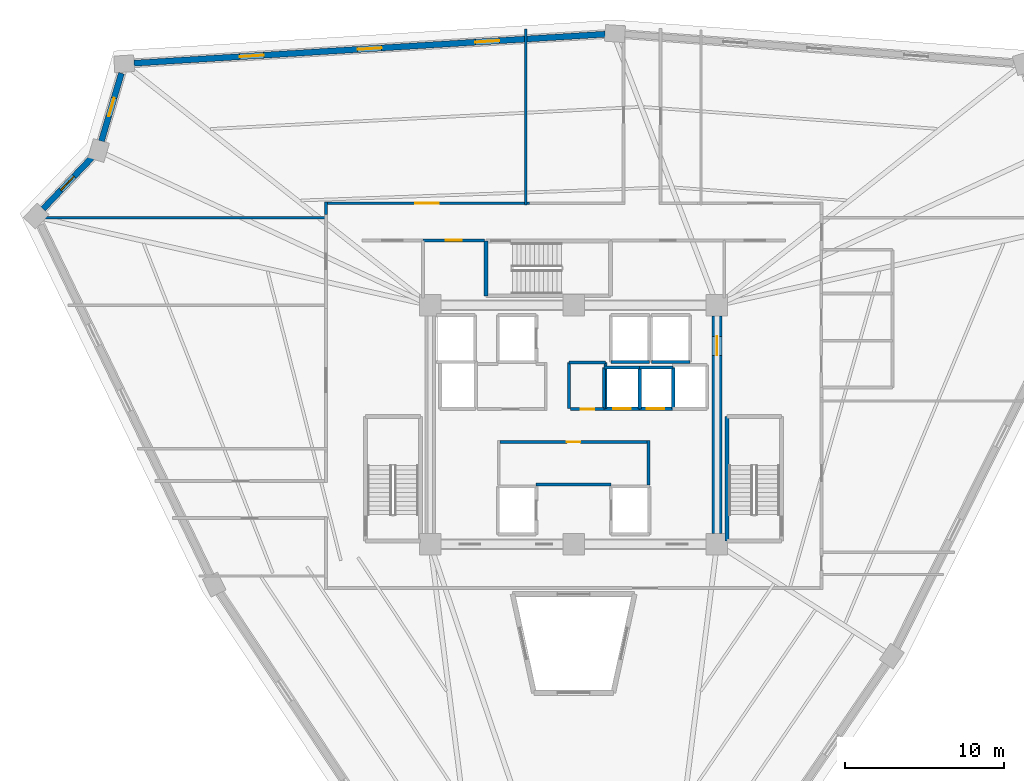
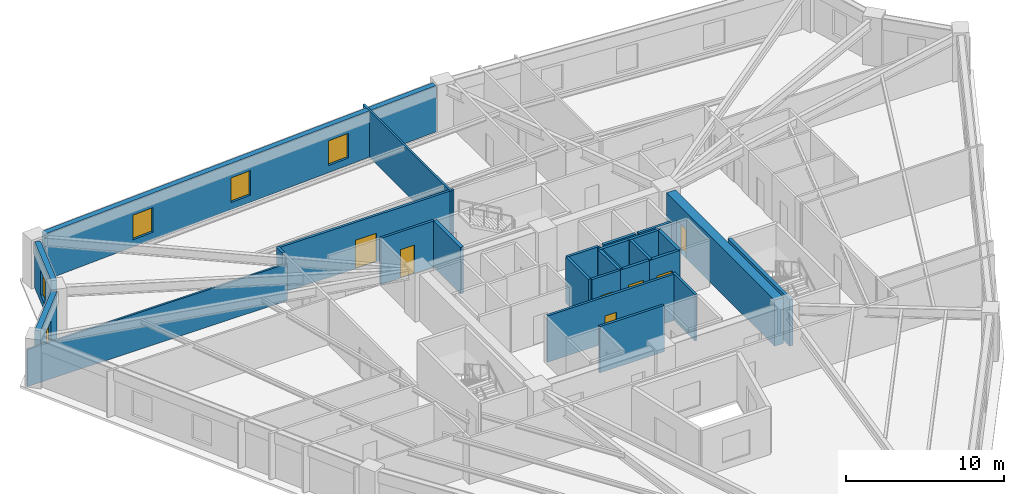
# One storey, part 5 of 8: 27 walls, 7 doors, 5 windows, 12 openings.
"""IFC4 building model written with IfcOpenShell, lengths in metres."""

from ifc_helpers import new_model, si_unit, direction, frame, frame_2d, origin, place, context, subcontext, project, spatial, rectangle, extrude, source, transform, mapped, material, layer, layer_set, type_object, element, fill, save


model = new_model("IFC4")

# Units and contexts
model_context = context("Model", 3, precision=1e-05, world=origin(), true_north=direction((0.0, 1.0)))
body_context = subcontext(model_context, "Body", "Model", "MODEL_VIEW")
ifc_project = project(units=[si_unit("LENGTHUNIT", "METRE"), si_unit("AREAUNIT", "SQUARE_METRE"), si_unit("VOLUMEUNIT", "CUBIC_METRE"), si_unit("PLANEANGLEUNIT", "RADIAN"), si_unit("MASSUNIT", "GRAM", prefix="KILO")], contexts=[model_context])

# Site, building, storey
site_placement = place(None, origin())
site = spatial("IfcSite", under=ifc_project, at=site_placement, CompositionType="ELEMENT")
building_placement = place(site_placement, origin())
building = spatial("IfcBuilding", under=site, at=building_placement, Name="Liaohun Quay Tower", CompositionType="ELEMENT")
storey_placement = place(building_placement, frame((0.0, 0.0, 209.25)))
storey = spatial("IfcBuildingStorey", under=building, at=storey_placement, Name="L54", CompositionType="ELEMENT", Elevation=209.25)

# Wall, opening, door
ifc_material_1 = material(Name="Concrete C55", Category="concrete")
ifc_layer_1 = layer(ifc_material_1, 0.64990234375, Name="Concrete C55", Category="concrete")
ifc_layer_set_1 = layer_set([ifc_layer_1], Name="Concrete C55")
wall_type_1 = type_object("IfcWallType", Name="WAL-COR-Z3", PredefinedType="SHEAR", material=ifc_layer_set_1)
wall_1_placement = place(storey_placement, frame((69.0, 60.824951171875, 0.0), z_axis=(0.0, 0.0, 1.0), x_axis=(0.0, -1.0, 0.0)))
wall_1 = element("IfcWall", 1, at=wall_1_placement, inside=storey, type_object=wall_type_1, Name="L54 Central Core Shear Wall E", PredefinedType="SHEAR", context=body_context, shape_type="SweptSolid", body=[
    extrude(rectangle(XDim=13.64990234375, YDim=0.64990234375, at=frame_2d((6.824951171875, 0.0))), origin(), (0.0, 0.0, 1.0), 3.570068359375),
])
shared_shape_1 = source(origin(), body_context, "Body", "SweptSolid", [
    extrude(rectangle(XDim=1.199951171875, YDim=2.199951171875, at=frame_2d((0.60009765625, 1.10009765625))), frame((0.0, 0.3349609375, 0.0), z_axis=(0.0, -1.0, 0.0), x_axis=(1.0, 0.0, 0.0)), (0.0, 0.0, 1.0), 0.669921875),
])
opening_1_placement = place(wall_1_placement, frame((1.27490234375, 0.0, 0.0)))
opening_1 = element("IfcOpeningElement", 2, at=opening_1_placement, cuts=wall_1, Name="Opening SD1", PredefinedType="OPENING", context=body_context, shape_type="MappedRepresentation", body=[
    mapped(shared_shape_1, transform((0.0, 0.0, 0.0), x_axis=(1.0, 0.0, 0.0), y_axis=(0.0, 1.0, 0.0), z_axis=(0.0, 0.0, 1.0), scale=1.0)),
])
ifc_material_2 = material(Name="Galvanised steel fire door", Category="steel")
door_type_1 = type_object("IfcDoorType", Name="DOR-STR-1200", OperationType="NOTDEFINED", PredefinedType="DOOR", material=ifc_material_2)
shared_shape_2 = source(origin(), body_context, "Body", "SweptSolid", [
    extrude(rectangle(XDim=1.199951171875, YDim=2.199951171875, at=frame_2d((0.60009765625, 1.10009765625))), frame((0.0, 0.02490234375, 0.0), z_axis=(0.0, -1.0, 0.0), x_axis=(1.0, 0.0, 0.0)), (0.0, 0.0, 1.0), 0.050048828125),
])
door_1_placement = place(opening_1_placement, origin())
door_1 = element("IfcDoor", 3, at=door_1_placement, inside=storey, type_object=door_type_1, Name="L54 North-East Core Lobby Smokeproof Door", OperationType="SINGLE_SWING_LEFT", OverallHeight=2.199951171875, OverallWidth=1.199951171875, PredefinedType="DOOR", context=body_context, shape_type="MappedRepresentation", body=[
    mapped(shared_shape_2, transform((0.0, 0.0, 0.0), x_axis=(1.0, 0.0, 0.0), y_axis=(0.0, 1.0, 0.0), z_axis=(0.0, 0.0, 1.0), scale=1.0)),
])
fill(opening_1, door_1)

# Wall, openings, windows
ifc_material_3 = material(Name="Precast concrete C50 insulated sandwich", Category="concrete")
ifc_layer_2 = layer(ifc_material_3, 0.3798828125, Name="Precast concrete C50 insulated sandwich", Category="concrete")
ifc_layer_set_2 = layer_set([ifc_layer_2], Name="Precast concrete C50 insulated sandwich")
wall_type_2 = type_object("IfcWallType", Name="WAL-EXT-Z34", PredefinedType="SOLIDWALL", material=ifc_layer_set_2)
wall_2_placement = place(storey_placement, frame((61.97900390625, 78.52392578125, 0.0), z_axis=(0.0, 0.0, 1.0), x_axis=(-0.998104910724, -0.061535251593, 0.0)))
wall_2 = element("IfcWall", 4, at=wall_2_placement, inside=storey, type_object=wall_type_2, Name="L54 Brutalist Precast Pier Wall 07", PredefinedType="SOLIDWALL", context=body_context, shape_type="SweptSolid", body=[
    extrude(rectangle(XDim=29.64111328125, YDim=0.3798828125, at=frame_2d((14.820556640625, 0.0))), origin(), (0.0, 0.0, 1.0), 3.570068359375),
])
shared_shape_3 = source(origin(), body_context, "Body", "SweptSolid", [
    extrude(rectangle(XDim=1.5, YDim=1.89990234375, at=frame_2d((0.75, 0.949951171875))), frame((0.0, 0.199951171875, 0.0), z_axis=(0.0, -1.0, 0.0), x_axis=(1.0, 0.0, 0.0)), (0.0, 0.0, 1.0), 0.39990234375),
])
opening_2_placement = place(wall_2_placement, frame((6.659912109375, 0.0, 0.550048828125)))
opening_2 = element("IfcOpeningElement", 5, at=opening_2_placement, cuts=wall_2, Name="Opening W03", PredefinedType="OPENING", context=body_context, shape_type="MappedRepresentation", body=[
    mapped(shared_shape_3, transform((0.0, 0.0, 0.0), x_axis=(1.0, 0.0, 0.0), y_axis=(0.0, 1.0, 0.0), z_axis=(0.0, 0.0, 1.0), scale=1.0)),
])
opening_3_placement = place(wall_2_placement, frame((14.071044921875, 0.0, 0.550048828125)))
opening_3 = element("IfcOpeningElement", 6, at=opening_3_placement, cuts=wall_2, Name="Opening W03", PredefinedType="OPENING", context=body_context, shape_type="MappedRepresentation", body=[
    mapped(shared_shape_3, transform((0.0, 0.0, 0.0), x_axis=(1.0, 0.0, 0.0), y_axis=(0.0, 1.0, 0.0), z_axis=(0.0, 0.0, 1.0), scale=1.0)),
])
opening_4_placement = place(wall_2_placement, frame((21.48095703125, 0.0, 0.550048828125)))
opening_4 = element("IfcOpeningElement", 7, at=opening_4_placement, cuts=wall_2, Name="Opening W03", PredefinedType="OPENING", context=body_context, shape_type="MappedRepresentation", body=[
    mapped(shared_shape_3, transform((0.0, 0.0, 0.0), x_axis=(1.0, 0.0, 0.0), y_axis=(0.0, 1.0, 0.0), z_axis=(0.0, 0.0, 1.0), scale=1.0)),
])
ifc_material_4 = material(Name="Triple Low-E argon glazing in thermally broken aluminium", Category="aluminium")
window_type_1 = type_object("IfcWindowType", Name="WIN-PUN-Z3", PartitioningType="DOUBLE_PANEL_VERTICAL", PredefinedType="WINDOW", material=ifc_material_4)
shared_shape_4 = source(origin(), body_context, "Body", "SweptSolid", [
    extrude(rectangle(XDim=1.5, YDim=1.89990234375, at=frame_2d((0.75, 0.949951171875))), frame((0.0, 0.030029296875, 0.0), z_axis=(0.0, -1.0, 0.0), x_axis=(1.0, 0.0, 0.0)), (0.0, 0.0, 1.0), 0.06005859375),
])
window_1_placement = place(opening_2_placement, origin())
window_1 = element("IfcWindow", 8, at=window_1_placement, inside=storey, type_object=window_type_1, Name="L54 Recessed Cold-Climate Punched Window 07-1", OverallHeight=1.89990234375, OverallWidth=1.5, PartitioningType="DOUBLE_PANEL_VERTICAL", PredefinedType="WINDOW", context=body_context, shape_type="MappedRepresentation", body=[
    mapped(shared_shape_4, transform((0.0, 0.0, 0.0), x_axis=(1.0, 0.0, 0.0), y_axis=(0.0, 1.0, 0.0), z_axis=(0.0, 0.0, 1.0), scale=1.0)),
])
fill(opening_2, window_1)
window_2_placement = place(opening_3_placement, origin())
window_2 = element("IfcWindow", 9, at=window_2_placement, inside=storey, type_object=window_type_1, Name="L54 Recessed Cold-Climate Punched Window 07-2", OverallHeight=1.89990234375, OverallWidth=1.5, PartitioningType="DOUBLE_PANEL_VERTICAL", PredefinedType="WINDOW", context=body_context, shape_type="MappedRepresentation", body=[
    mapped(shared_shape_4, transform((0.0, 0.0, 0.0), x_axis=(1.0, 0.0, 0.0), y_axis=(0.0, 1.0, 0.0), z_axis=(0.0, 0.0, 1.0), scale=1.0)),
])
fill(opening_3, window_2)
window_3_placement = place(opening_4_placement, origin())
window_3 = element("IfcWindow", 10, at=window_3_placement, inside=storey, type_object=window_type_1, Name="L54 Recessed Cold-Climate Punched Window 07-3", OverallHeight=1.89990234375, OverallWidth=1.5, PartitioningType="DOUBLE_PANEL_VERTICAL", PredefinedType="WINDOW", context=body_context, shape_type="MappedRepresentation", body=[
    mapped(shared_shape_4, transform((0.0, 0.0, 0.0), x_axis=(1.0, 0.0, 0.0), y_axis=(0.0, 1.0, 0.0), z_axis=(0.0, 0.0, 1.0), scale=1.0)),
])
fill(opening_4, window_3)

# Wall, opening, window
wall_3_placement = place(storey_placement, frame((31.60595703125, 76.072021484375, 0.0), z_axis=(0.0, 0.0, 1.0), x_axis=(-0.282591614123, -0.959240313804, 0.0)))
wall_3 = element("IfcWall", 11, at=wall_3_placement, inside=storey, type_object=wall_type_2, Name="L54 Brutalist Precast Pier Wall 08", PredefinedType="SOLIDWALL", context=body_context, shape_type="SweptSolid", body=[
    extrude(rectangle(XDim=4.444091796875, YDim=0.3798828125, at=frame_2d((2.22216796875, 0.0))), origin(), (0.0, 0.0, 1.0), 3.570068359375),
])
shared_shape_5 = source(origin(), body_context, "Body", "SweptSolid", [
    extrude(rectangle(XDim=1.199951171875, YDim=1.89990234375, at=frame_2d((0.60009765625, 0.949951171875))), frame((0.0, 0.199951171875, 0.0), z_axis=(0.0, -1.0, 0.0), x_axis=(1.0, 0.0, 0.0)), (0.0, 0.0, 1.0), 0.39990234375),
])
opening_5_placement = place(wall_3_placement, frame((1.6220703125, 0.0, 0.550048828125)))
opening_5 = element("IfcOpeningElement", 12, at=opening_5_placement, cuts=wall_3, Name="Opening W05", PredefinedType="OPENING", context=body_context, shape_type="MappedRepresentation", body=[
    mapped(shared_shape_5, transform((0.0, 0.0, 0.0), x_axis=(1.0, 0.0, 0.0), y_axis=(0.0, 1.0, 0.0), z_axis=(0.0, 0.0, 1.0), scale=1.0)),
])
ifc_material_5 = material(Name="Triple Low-E corner notch glazing", Category="glass")
window_type_2 = type_object("IfcWindowType", Name="WIN-NOTCH", PartitioningType="SINGLE_PANEL", PredefinedType="WINDOW", material=ifc_material_5)
shared_shape_6 = source(origin(), body_context, "Body", "SweptSolid", [
    extrude(rectangle(XDim=1.199951171875, YDim=1.89990234375, at=frame_2d((0.60009765625, 0.949951171875))), frame((0.0, 0.030029296875, 0.0), z_axis=(0.0, -1.0, 0.0), x_axis=(1.0, 0.0, 0.0)), (0.0, 0.0, 1.0), 0.06005859375),
])
window_4_placement = place(opening_5_placement, origin())
window_4 = element("IfcWindow", 13, at=window_4_placement, inside=storey, type_object=window_type_2, Name="L54 Corner Notch Window W05-08", OverallHeight=1.89990234375, OverallWidth=1.199951171875, PartitioningType="SINGLE_PANEL", PredefinedType="WINDOW", context=body_context, shape_type="MappedRepresentation", body=[
    mapped(shared_shape_6, transform((0.0, 0.0, 0.0), x_axis=(1.0, 0.0, 0.0), y_axis=(0.0, 1.0, 0.0), z_axis=(0.0, 0.0, 1.0), scale=1.0)),
])
fill(opening_5, window_4)

wall_4_placement = place(storey_placement, frame((29.751953125, 70.77294921875, 0.0), z_axis=(0.0, 0.0, 1.0), x_axis=(-0.689477097778, -0.724307484181, 0.0)))
wall_4 = element("IfcWall", 14, at=wall_4_placement, inside=storey, type_object=wall_type_2, Name="L54 Brutalist Precast Pier Wall 09", PredefinedType="SOLIDWALL", context=body_context, shape_type="SweptSolid", body=[
    extrude(rectangle(XDim=4.450927734375, YDim=0.3798828125, at=frame_2d((2.2255859375, 0.0))), origin(), (0.0, 0.0, 1.0), 3.570068359375),
])
opening_6_placement = place(wall_4_placement, frame((1.6259765625, 0.0, 0.550048828125)))
opening_6 = element("IfcOpeningElement", 15, at=opening_6_placement, cuts=wall_4, Name="Opening W05", PredefinedType="OPENING", context=body_context, shape_type="MappedRepresentation", body=[
    mapped(shared_shape_5, transform((0.0, 0.0, 0.0), x_axis=(1.0, 0.0, 0.0), y_axis=(0.0, 1.0, 0.0), z_axis=(0.0, 0.0, 1.0), scale=1.0)),
])
window_5_placement = place(opening_6_placement, origin())
window_5 = element("IfcWindow", 16, at=window_5_placement, inside=storey, type_object=window_type_2, Name="L54 Corner Notch Window W05-09", OverallHeight=1.89990234375, OverallWidth=1.199951171875, PartitioningType="SINGLE_PANEL", PredefinedType="WINDOW", context=body_context, shape_type="MappedRepresentation", body=[
    mapped(shared_shape_6, transform((0.0, 0.0, 0.0), x_axis=(1.0, 0.0, 0.0), y_axis=(0.0, 1.0, 0.0), z_axis=(0.0, 0.0, 1.0), scale=1.0)),
])
fill(opening_6, window_5)

# Wall, opening, door
ifc_material_6 = material(Name="Autoclaved aerated concrete blockwork", Category="masonry")
ifc_layer_3 = layer(ifc_material_6, 0.179931640625, Name="Autoclaved aerated concrete blockwork", Category="masonry")
ifc_layer_set_3 = layer_set([ifc_layer_3], Name="Autoclaved aerated concrete blockwork")
wall_type_3 = type_object("IfcWallType", Name="WAL-PRT-COR", PredefinedType="PARTITIONING", material=ifc_layer_set_3)
wall_5_placement = place(storey_placement, frame((55.389892578125, 52.919921875, 0.0), z_axis=(0.0, 0.0, 1.0), x_axis=(1.0, 0.0, 0.0)))
wall_5 = element("IfcWall", 17, at=wall_5_placement, inside=storey, type_object=wall_type_3, Name="L54 Interior Partition Wall 001", PredefinedType="PARTITIONING", context=body_context, shape_type="SweptSolid", body=[
    extrude(rectangle(XDim=9.22021484375, YDim=0.179931640625, at=frame_2d((4.610107421875, 0.0))), origin(), (0.0, 0.0, 1.0), 3.570068359375),
])
shared_shape_7 = source(origin(), body_context, "Body", "SweptSolid", [
    extrude(rectangle(XDim=0.85009765625, YDim=2.10009765625, at=frame_2d((0.425048828125, 1.050048828125))), frame((0.0, 0.099853515625, 0.0), z_axis=(0.0, -1.0, 0.0), x_axis=(1.0, 0.0, 0.0)), (0.0, 0.0, 1.0), 0.199951171875),
])
opening_7_placement = place(wall_5_placement, frame((4.18505859375, 0.0, 0.0)))
opening_7 = element("IfcOpeningElement", 18, at=opening_7_placement, cuts=wall_5, Name="Opening AD1", PredefinedType="OPENING", context=body_context, shape_type="MappedRepresentation", body=[
    mapped(shared_shape_7, transform((0.0, 0.0, 0.0), x_axis=(1.0, 0.0, 0.0), y_axis=(0.0, 1.0, 0.0), z_axis=(0.0, 0.0, 1.0), scale=1.0)),
])
ifc_material_7 = material(Name="Steel riser inspection fire door", Category="steel")
door_type_2 = type_object("IfcDoorType", Name="DOR-SHF-850", OperationType="NOTDEFINED", PredefinedType="DOOR", material=ifc_material_7)
shared_shape_8 = source(origin(), body_context, "Body", "SweptSolid", [
    extrude(rectangle(XDim=0.85009765625, YDim=2.10009765625, at=frame_2d((0.425048828125, 1.050048828125))), frame((0.0, 0.02490234375, 0.0), z_axis=(0.0, -1.0, 0.0), x_axis=(1.0, 0.0, 0.0)), (0.0, 0.0, 1.0), 0.050048828125),
])
door_2_placement = place(opening_7_placement, origin())
door_2 = element("IfcDoor", 19, at=door_2_placement, inside=storey, type_object=door_type_2, Name="L54 Core Tenant Storage and Archive Room Door", OperationType="SINGLE_SWING_RIGHT", OverallHeight=2.10009765625, OverallWidth=0.85009765625, PredefinedType="DOOR", context=body_context, shape_type="MappedRepresentation", body=[
    mapped(shared_shape_8, transform((0.0, 0.0, 0.0), x_axis=(1.0, 0.0, 0.0), y_axis=(0.0, 1.0, 0.0), z_axis=(0.0, 0.0, 1.0), scale=1.0)),
])
fill(opening_7, door_2)

wall_6_placement = place(storey_placement, frame((59.81005859375, 54.97998046875, 0.0), z_axis=(0.0, 0.0, 1.0), x_axis=(1.0, 0.0, 0.0)))
wall_6 = element("IfcWall", 20, at=wall_6_placement, inside=storey, type_object=wall_type_3, Name="L54 Interior Partition Wall 003", PredefinedType="PARTITIONING", context=body_context, shape_type="SweptSolid", body=[
    extrude(rectangle(XDim=2.08984375, YDim=0.179931640625, at=frame_2d((1.044921875, 0.0))), origin(), (0.0, 0.0, 1.0), 3.570068359375),
])
opening_8_placement = place(wall_6_placement, frame((0.635009765625, 0.0, 0.0)))
opening_8 = element("IfcOpeningElement", 21, at=opening_8_placement, cuts=wall_6, Name="Opening AD1", PredefinedType="OPENING", context=body_context, shape_type="MappedRepresentation", body=[
    mapped(shared_shape_7, transform((0.0, 0.0, 0.0), x_axis=(1.0, 0.0, 0.0), y_axis=(0.0, 1.0, 0.0), z_axis=(0.0, 0.0, 1.0), scale=1.0)),
])
door_3_placement = place(opening_8_placement, origin())
door_3 = element("IfcDoor", 22, at=door_3_placement, inside=storey, type_object=door_type_2, Name="L54 Core Electrical and Telecom Riser Room Door", OperationType="SINGLE_SWING_RIGHT", OverallHeight=2.10009765625, OverallWidth=0.85009765625, PredefinedType="DOOR", context=body_context, shape_type="MappedRepresentation", body=[
    mapped(shared_shape_8, transform((0.0, 0.0, 0.0), x_axis=(1.0, 0.0, 0.0), y_axis=(0.0, 1.0, 0.0), z_axis=(0.0, 0.0, 1.0), scale=1.0)),
])
fill(opening_8, door_3)

wall_7_placement = place(storey_placement, frame((50.5400390625, 65.580078125, 0.0), z_axis=(0.0, 0.0, 1.0), x_axis=(1.0, 0.0, 0.0)))
wall_7 = element("IfcWall", 23, at=wall_7_placement, inside=storey, type_object=wall_type_3, Name="L54 Interior Partition Wall 007", PredefinedType="PARTITIONING", context=body_context, shape_type="SweptSolid", body=[
    extrude(rectangle(XDim=3.869873046875, YDim=0.179931640625, at=frame_2d((1.93505859375, 0.0))), origin(), (0.0, 0.0, 1.0), 3.570068359375),
])
shared_shape_9 = source(origin(), body_context, "Body", "SweptSolid", [
    extrude(rectangle(XDim=1.0, YDim=2.199951171875, at=frame_2d((0.5, 1.10009765625))), frame((0.0, 0.099853515625, 0.0), z_axis=(0.0, -1.0, 0.0), x_axis=(1.0, 0.0, 0.0)), (0.0, 0.0, 1.0), 0.199951171875),
])
opening_9_placement = place(wall_7_placement, frame((1.43505859375, 0.0, 0.0)))
opening_9 = element("IfcOpeningElement", 24, at=opening_9_placement, cuts=wall_7, Name="Opening OD1", PredefinedType="OPENING", context=body_context, shape_type="MappedRepresentation", body=[
    mapped(shared_shape_9, transform((0.0, 0.0, 0.0), x_axis=(1.0, 0.0, 0.0), y_axis=(0.0, 1.0, 0.0), z_axis=(0.0, 0.0, 1.0), scale=1.0)),
])
ifc_material_8 = material(Name="Solid-core oak veneer timber leaf in steel frame", Category="steel")
door_type_3 = type_object("IfcDoorType", Name="DOR-OFF-1000", OperationType="NOTDEFINED", PredefinedType="DOOR", material=ifc_material_8)
shared_shape_10 = source(origin(), body_context, "Body", "SweptSolid", [
    extrude(rectangle(XDim=1.0, YDim=2.199951171875, at=frame_2d((0.5, 1.10009765625))), frame((0.0, 0.02490234375, 0.0), z_axis=(0.0, -1.0, 0.0), x_axis=(1.0, 0.0, 0.0)), (0.0, 0.0, 1.0), 0.050048828125),
])
door_4_placement = place(opening_9_placement, origin())
door_4 = element("IfcDoor", 25, at=door_4_placement, inside=storey, type_object=door_type_3, Name="L54 North-West Print and Telecom Room Door", OperationType="SINGLE_SWING_RIGHT", OverallHeight=2.199951171875, OverallWidth=1.0, PredefinedType="DOOR", context=body_context, shape_type="MappedRepresentation", body=[
    mapped(shared_shape_10, transform((0.0, 0.0, 0.0), x_axis=(1.0, 0.0, 0.0), y_axis=(0.0, 1.0, 0.0), z_axis=(0.0, 0.0, 1.0), scale=1.0)),
])
fill(opening_9, door_4)

wall_8_placement = place(storey_placement, frame((44.3701171875, 67.909912109375, 0.0), z_axis=(0.0, 0.0, 1.0), x_axis=(1.0, 0.0, 0.0)))
wall_8 = element("IfcWall", 26, at=wall_8_placement, inside=storey, type_object=wall_type_3, Name="L54 Interior Partition Wall 015", PredefinedType="PARTITIONING", context=body_context, shape_type="SweptSolid", body=[
    extrude(rectangle(XDim=12.844970703125, YDim=0.179931640625, at=frame_2d((6.42236328125, 0.0))), origin(), (0.0, 0.0, 1.0), 3.570068359375),
])
shared_shape_11 = source(origin(), body_context, "Body", "SweptSolid", [
    extrude(rectangle(XDim=1.5, YDim=2.199951171875, at=frame_2d((0.75, 1.10009765625))), frame((0.0, 0.099853515625, 0.0), z_axis=(0.0, -1.0, 0.0), x_axis=(1.0, 0.0, 0.0)), (0.0, 0.0, 1.0), 0.199951171875),
])
opening_10_placement = place(wall_8_placement, frame((5.673095703125, 0.0, 0.0)))
opening_10 = element("IfcOpeningElement", 27, at=opening_10_placement, cuts=wall_8, Name="Opening OD2", PredefinedType="OPENING", context=body_context, shape_type="MappedRepresentation", body=[
    mapped(shared_shape_11, transform((0.0, 0.0, 0.0), x_axis=(1.0, 0.0, 0.0), y_axis=(0.0, 1.0, 0.0), z_axis=(0.0, 0.0, 1.0), scale=1.0)),
])
ifc_material_9 = material(Name="Acoustic oak veneer double door")
door_type_4 = type_object("IfcDoorType", Name="DOR-OFF-1500", OperationType="DOUBLE_DOOR_SINGLE_SWING", PredefinedType="DOOR", material=ifc_material_9)
shared_shape_12 = source(origin(), body_context, "Body", "SweptSolid", [
    extrude(rectangle(XDim=1.5, YDim=2.199951171875, at=frame_2d((0.75, 1.10009765625))), frame((0.0, 0.02490234375, 0.0), z_axis=(0.0, -1.0, 0.0), x_axis=(1.0, 0.0, 0.0)), (0.0, 0.0, 1.0), 0.050048828125),
])
door_5_placement = place(opening_10_placement, origin())
door_5 = element("IfcDoor", 28, at=door_5_placement, inside=storey, type_object=door_type_4, Name="L54 Occupational Wellness Clinic 05 Door", OperationType="DOUBLE_DOOR_SINGLE_SWING", OverallHeight=2.199951171875, OverallWidth=1.5, PredefinedType="DOOR", context=body_context, shape_type="MappedRepresentation", body=[
    mapped(shared_shape_12, transform((0.0, 0.0, 0.0), x_axis=(1.0, 0.0, 0.0), y_axis=(0.0, 1.0, 0.0), z_axis=(0.0, 0.0, 1.0), scale=1.0)),
])
fill(opening_10, door_5)

# Walls
for number, where, z_axis, x_axis, name in (
    (29, (59.719970703125, 55.02001953125, 0.0), (0.0, 0.0, 1.0), (0.0, 1.0, 0.0), "L54 Interior Partition Wall 023"),
    (30, (62.010009765625, 55.02001953125, 0.0), (0.0, 0.0, 1.0), (0.0, 1.0, 0.0), "L54 Interior Partition Wall 024"),
):
    element("IfcWall", number, at=place(storey_placement, frame(where, z_axis=z_axis, x_axis=x_axis)), inside=storey, type_object=wall_type_3, Name=name, PredefinedType="PARTITIONING", context=body_context, shape_type="SweptSolid", body=[
        extrude(rectangle(XDim=2.8798828125, YDim=0.179931640625, at=frame_2d((1.43994140625, 0.0))), origin(), (0.0, 0.0, 1.0), 3.570068359375),
    ])
wall_9_placement = place(storey_placement, frame((59.719970703125, 57.919921875, 0.0), z_axis=(0.0, 0.0, 1.0), x_axis=(1.0, 0.0, 0.0)))
element("IfcWall", 31, at=wall_9_placement, inside=storey, type_object=wall_type_3, Name="L54 Interior Partition Wall 025", PredefinedType="PARTITIONING", context=body_context, shape_type="SweptSolid", body=[
    extrude(rectangle(XDim=2.2900390625, YDim=0.179931640625, at=frame_2d((1.14501953125, 0.0))), origin(), (0.0, 0.0, 1.0), 3.570068359375),
])
wall_10_placement = place(storey_placement, frame((44.43994140625, 67.215087890625, 0.0), z_axis=(0.0, 0.0, 1.0), x_axis=(0.0, 1.0, 0.0)))
element("IfcWall", 32, at=wall_10_placement, inside=storey, type_object=wall_type_3, Name="L54 Interior Partition Wall 037", PredefinedType="PARTITIONING", context=body_context, shape_type="SweptSolid", body=[
    extrude(rectangle(XDim=0.764892578125, YDim=0.179931640625, at=frame_2d((0.38232421875, 0.0))), origin(), (0.0, 0.0, 1.0), 3.570068359375),
])
wall_11_placement = place(storey_placement, frame((64.699951171875, 50.219970703125, 0.0), z_axis=(0.0, 0.0, 1.0), x_axis=(0.0, 1.0, 0.0)))
element("IfcWall", 33, at=wall_11_placement, inside=storey, type_object=wall_type_3, Name="L54 Interior Partition Wall 053", PredefinedType="PARTITIONING", context=body_context, shape_type="SweptSolid", body=[
    extrude(rectangle(XDim=2.7900390625, YDim=0.179931640625, at=frame_2d((1.39501953125, 0.0))), origin(), (0.0, 0.0, 1.0), 3.570068359375),
])
wall_12_placement = place(storey_placement, frame((57.64990234375, 50.25, 0.0), z_axis=(0.0, 0.0, 1.0), x_axis=(1.0, 0.0, 0.0)))
element("IfcWall", 34, at=wall_12_placement, inside=storey, type_object=wall_type_3, Name="L54 Interior Partition Wall 054", PredefinedType="PARTITIONING", context=body_context, shape_type="SweptSolid", body=[
    extrude(rectangle(XDim=4.7001953125, YDim=0.179931640625, at=frame_2d((2.35009765625, 0.0))), origin(), (0.0, 0.0, 1.0), 3.570068359375),
])
ifc_material_10 = material(Name="Gypsum board on twin steel studs", Category="steel")
ifc_layer_4 = layer(ifc_material_10, 0.139892578125, Name="Gypsum board on twin steel studs", Category="steel")
ifc_layer_set_4 = layer_set([ifc_layer_4], Name="Gypsum board on twin steel studs")
wall_type_4 = type_object("IfcWallType", Name="WAL-PRT-OFF", PredefinedType="PARTITIONING", material=ifc_layer_set_4)
wall_13_placement = place(storey_placement, frame((44.5400390625, 67.0, 0.0), z_axis=(0.0, 0.0, 1.0), x_axis=(-1.0, 0.0, 0.0)))
element("IfcWall", 35, at=wall_13_placement, inside=storey, type_object=wall_type_4, Name="L54 Interior Partition Wall 045", PredefinedType="PARTITIONING", context=body_context, shape_type="SweptSolid", body=[
    extrude(rectangle(XDim=18.93115234375, YDim=0.139892578125, at=frame_2d((9.465576171875, 0.0))), origin(), (0.0, 0.0, 1.0), 2.85498046875),
])
wall_14_placement = place(storey_placement, frame((57.0, 67.81005859375, 0.0), z_axis=(0.0, 0.0, 1.0), x_axis=(0.0, 1.0, 0.0)))
element("IfcWall", 36, at=wall_14_placement, inside=storey, type_object=wall_type_4, Name="L54 Interior Partition Wall 050", PredefinedType="PARTITIONING", context=body_context, shape_type="SweptSolid", body=[
    extrude(rectangle(XDim=11.037841796875, YDim=0.139892578125, at=frame_2d((5.51904296875, 0.0))), origin(), (0.0, 0.0, 1.0), 3.570068359375),
])
ifc_material_11 = material(Name="Concrete C50", Category="concrete")
ifc_layer_5 = layer(ifc_material_11, 0.239990234375, Name="Concrete C50", Category="concrete")
ifc_layer_set_5 = layer_set([ifc_layer_5], Name="Concrete C50")
wall_type_5 = type_object("IfcWallType", Name="WAL-SHF-200", PredefinedType="SOLIDWALL", material=ifc_layer_set_5)
wall_15_placement = place(storey_placement, frame((69.6201171875, 54.52001953125, 0.0), z_axis=(0.0, 0.0, 1.0), x_axis=(0.0, -1.0, 0.0)))
element("IfcWall", 37, at=wall_15_placement, inside=storey, type_object=wall_type_5, Name="L54 Stairwell ST-2 Structural Core Wall W", PredefinedType="SOLIDWALL", context=body_context, shape_type="SweptSolid", body=[
    extrude(rectangle(XDim=7.820068359375, YDim=0.239990234375, at=frame_2d((3.91015625, 0.0))), origin(), (0.0, 0.0, 1.0), 3.570068359375),
])
wall_16_placement = place(storey_placement, frame((54.5, 65.5400390625, 0.0), z_axis=(0.0, 0.0, 1.0), x_axis=(0.0, -1.0, 0.0)))
element("IfcWall", 38, at=wall_16_placement, inside=storey, type_object=wall_type_5, Name="L54 Stairwell ST-3 Structural Core Wall W", PredefinedType="SOLIDWALL", context=body_context, shape_type="SweptSolid", body=[
    extrude(rectangle(XDim=3.43994140625, YDim=0.239990234375, at=frame_2d((1.719970703125, 0.0))), origin(), (0.0, 0.0, 1.0), 3.570068359375),
])
wall_17_placement = place(storey_placement, frame((62.35009765625, 57.949951171875, 0.0), z_axis=(0.0, 0.0, 1.0), x_axis=(1.0, 0.0, 0.0)))
element("IfcWall", 39, at=wall_17_placement, inside=storey, type_object=wall_type_5, Name="L54 Lift OB-01 Hoistway Wall S", PredefinedType="SOLIDWALL", context=body_context, shape_type="SweptSolid", body=[
    extrude(rectangle(XDim=2.39990234375, YDim=0.199951171875, at=frame_2d((1.199951171875, 0.0))), origin(), (0.0, 0.0, 1.0), 3.570068359375),
])
wall_18_placement = place(storey_placement, frame((64.89990234375, 57.949951171875, 0.0), z_axis=(0.0, 0.0, 1.0), x_axis=(1.0, 0.0, 0.0)))
element("IfcWall", 40, at=wall_18_placement, inside=storey, type_object=wall_type_5, Name="L54 Lift OB-02 Hoistway Wall S", PredefinedType="SOLIDWALL", context=body_context, shape_type="SweptSolid", body=[
    extrude(rectangle(XDim=2.400146484375, YDim=0.199951171875, at=frame_2d((1.2001953125, 0.0))), origin(), (0.0, 0.0, 1.0), 3.570068359375),
])

# Wall, opening, door
wall_19_placement = place(storey_placement, frame((61.89990234375, 55.0, 0.0), z_axis=(0.0, 0.0, 1.0), x_axis=(1.0, 0.0, 0.0)))
wall_19 = element("IfcWall", 41, at=wall_19_placement, inside=storey, type_object=wall_type_5, Name="L54 Lift PL-3A Hoistway Wall S", PredefinedType="SOLIDWALL", context=body_context, shape_type="SweptSolid", body=[
    extrude(rectangle(XDim=2.25, YDim=0.199951171875, at=frame_2d((1.125, 0.0))), origin(), (0.0, 0.0, 1.0), 3.570068359375),
])
shared_shape_13 = source(origin(), body_context, "Body", "SweptSolid", [
    extrude(rectangle(XDim=1.10009765625, YDim=2.199951171875, at=frame_2d((0.550048828125, 1.10009765625))), frame((0.0, 0.10986328125, 0.0), z_axis=(0.0, -1.0, 0.0), x_axis=(1.0, 0.0, 0.0)), (0.0, 0.0, 1.0), 0.219970703125),
])
opening_11_placement = place(wall_19_placement, frame((0.574951171875, 0.0, 0.0)))
opening_11 = element("IfcOpeningElement", 42, at=opening_11_placement, cuts=wall_19, Name="Opening LD1", PredefinedType="OPENING", context=body_context, shape_type="MappedRepresentation", body=[
    mapped(shared_shape_13, transform((0.0, 0.0, 0.0), x_axis=(1.0, 0.0, 0.0), y_axis=(0.0, 1.0, 0.0), z_axis=(0.0, 0.0, 1.0), scale=1.0)),
])
ifc_material_12 = material(Name="Brushed stainless steel landing door", Category="steel")
door_type_5 = type_object("IfcDoorType", Name="DOR-LFT-1100", OperationType="SLIDING_TO_LEFT", PredefinedType="DOOR", material=ifc_material_12)
shared_shape_14 = source(origin(), body_context, "Body", "SweptSolid", [
    extrude(rectangle(XDim=1.10009765625, YDim=2.199951171875, at=frame_2d((0.550048828125, 1.10009765625))), frame((0.0, 0.02490234375, 0.0), z_axis=(0.0, -1.0, 0.0), x_axis=(1.0, 0.0, 0.0)), (0.0, 0.0, 1.0), 0.050048828125),
])
door_6_placement = place(opening_11_placement, origin())
door_6 = element("IfcDoor", 43, at=door_6_placement, inside=storey, type_object=door_type_5, Name="L54 Lift PL-3A Sliding Landing Door", OperationType="SLIDING_TO_LEFT", OverallHeight=2.199951171875, OverallWidth=1.10009765625, PredefinedType="DOOR", context=body_context, shape_type="MappedRepresentation", body=[
    mapped(shared_shape_14, transform((0.0, 0.0, 0.0), x_axis=(1.0, 0.0, 0.0), y_axis=(0.0, 1.0, 0.0), z_axis=(0.0, 0.0, 1.0), scale=1.0)),
])
fill(opening_11, door_6)

# Walls
wall_20_placement = place(storey_placement, frame((64.14990234375, 55.0, 0.0), z_axis=(0.0, 0.0, 1.0), x_axis=(0.0, 1.0, 0.0)))
element("IfcWall", 44, at=wall_20_placement, inside=storey, type_object=wall_type_5, Name="L54 Lift PL-3A Hoistway Wall E", PredefinedType="SOLIDWALL", context=body_context, shape_type="SweptSolid", body=[
    extrude(rectangle(XDim=2.60009765625, YDim=0.199951171875, at=frame_2d((1.300048828125, 0.0))), origin(), (0.0, 0.0, 1.0), 3.570068359375),
])
wall_21_placement = place(storey_placement, frame((64.14990234375, 57.60009765625, 0.0), z_axis=(0.0, 0.0, 1.0), x_axis=(-1.0, 0.0, 0.0)))
element("IfcWall", 45, at=wall_21_placement, inside=storey, type_object=wall_type_5, Name="L54 Lift PL-3A Hoistway Wall N", PredefinedType="SOLIDWALL", context=body_context, shape_type="SweptSolid", body=[
    extrude(rectangle(XDim=2.25, YDim=0.199951171875, at=frame_2d((1.125, 0.0))), origin(), (0.0, 0.0, 1.0), 3.570068359375),
])
wall_22_placement = place(storey_placement, frame((61.89990234375, 57.60009765625, 0.0), z_axis=(0.0, 0.0, 1.0), x_axis=(0.0, -1.0, 0.0)))
element("IfcWall", 46, at=wall_22_placement, inside=storey, type_object=wall_type_5, Name="L54 Lift PL-3A Hoistway Wall W", PredefinedType="SOLIDWALL", context=body_context, shape_type="SweptSolid", body=[
    extrude(rectangle(XDim=2.60009765625, YDim=0.199951171875, at=frame_2d((1.300048828125, 0.0))), origin(), (0.0, 0.0, 1.0), 3.570068359375),
])

# Wall, opening, door
wall_23_placement = place(storey_placement, frame((64.0, 55.0, 0.0), z_axis=(0.0, 0.0, 1.0), x_axis=(1.0, 0.0, 0.0)))
wall_23 = element("IfcWall", 47, at=wall_23_placement, inside=storey, type_object=wall_type_5, Name="L54 Lift PL-3B Hoistway Wall S", PredefinedType="SOLIDWALL", context=body_context, shape_type="SweptSolid", body=[
    extrude(rectangle(XDim=2.25, YDim=0.199951171875, at=frame_2d((1.125, 0.0))), origin(), (0.0, 0.0, 1.0), 3.570068359375),
])
opening_12_placement = place(wall_23_placement, frame((0.574951171875, 0.0, 0.0)))
opening_12 = element("IfcOpeningElement", 48, at=opening_12_placement, cuts=wall_23, Name="Opening LD1", PredefinedType="OPENING", context=body_context, shape_type="MappedRepresentation", body=[
    mapped(shared_shape_13, transform((0.0, 0.0, 0.0), x_axis=(1.0, 0.0, 0.0), y_axis=(0.0, 1.0, 0.0), z_axis=(0.0, 0.0, 1.0), scale=1.0)),
])
door_7_placement = place(opening_12_placement, origin())
door_7 = element("IfcDoor", 49, at=door_7_placement, inside=storey, type_object=door_type_5, Name="L54 Lift PL-3B Sliding Landing Door", OperationType="SLIDING_TO_LEFT", OverallHeight=2.199951171875, OverallWidth=1.10009765625, PredefinedType="DOOR", context=body_context, shape_type="MappedRepresentation", body=[
    mapped(shared_shape_14, transform((0.0, 0.0, 0.0), x_axis=(1.0, 0.0, 0.0), y_axis=(0.0, 1.0, 0.0), z_axis=(0.0, 0.0, 1.0), scale=1.0)),
])
fill(opening_12, door_7)

# Walls
wall_24_placement = place(storey_placement, frame((66.25, 55.0, 0.0), z_axis=(0.0, 0.0, 1.0), x_axis=(0.0, 1.0, 0.0)))
element("IfcWall", 50, at=wall_24_placement, inside=storey, type_object=wall_type_5, Name="L54 Lift PL-3B Hoistway Wall E", PredefinedType="SOLIDWALL", context=body_context, shape_type="SweptSolid", body=[
    extrude(rectangle(XDim=2.60009765625, YDim=0.199951171875, at=frame_2d((1.300048828125, 0.0))), origin(), (0.0, 0.0, 1.0), 3.570068359375),
])
wall_25_placement = place(storey_placement, frame((66.25, 57.60009765625, 0.0), z_axis=(0.0, 0.0, 1.0), x_axis=(-1.0, 0.0, 0.0)))
element("IfcWall", 51, at=wall_25_placement, inside=storey, type_object=wall_type_5, Name="L54 Lift PL-3B Hoistway Wall N", PredefinedType="SOLIDWALL", context=body_context, shape_type="SweptSolid", body=[
    extrude(rectangle(XDim=2.25, YDim=0.199951171875, at=frame_2d((1.125, 0.0))), origin(), (0.0, 0.0, 1.0), 3.570068359375),
])

save(model, "model.ifc")
